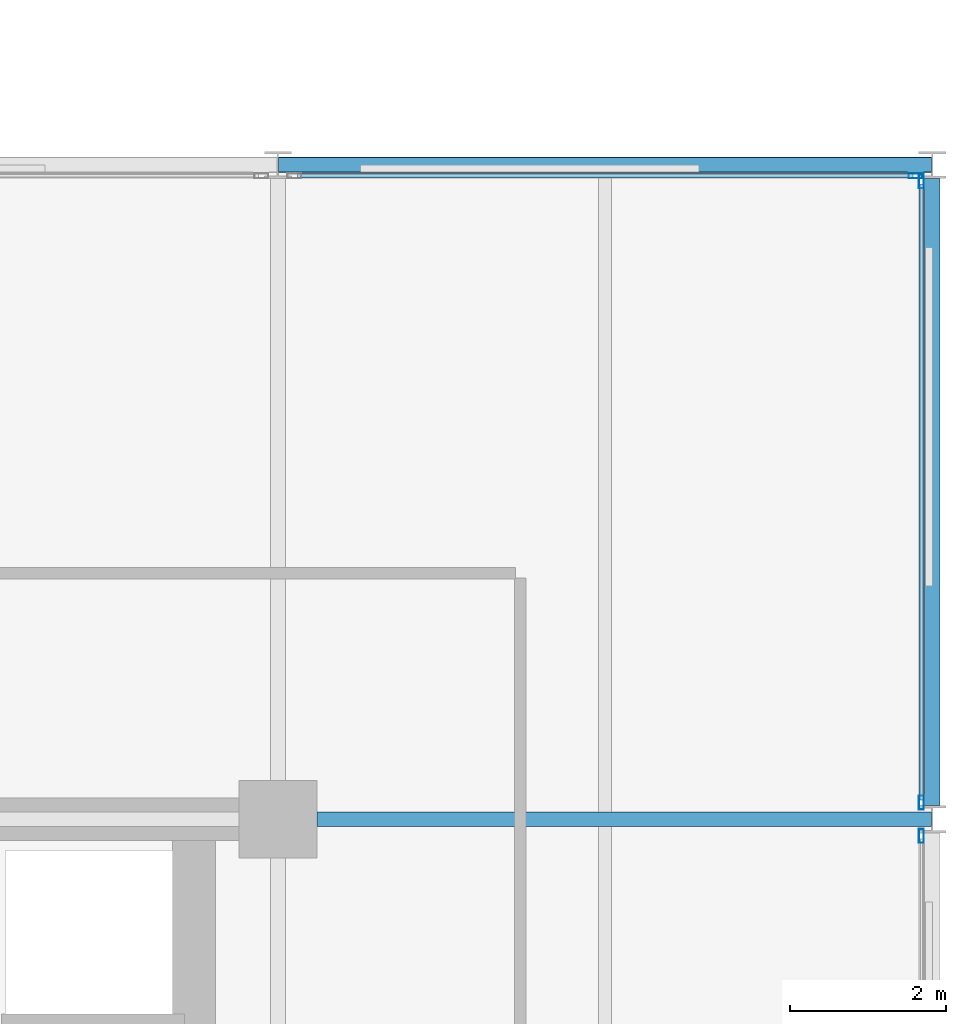
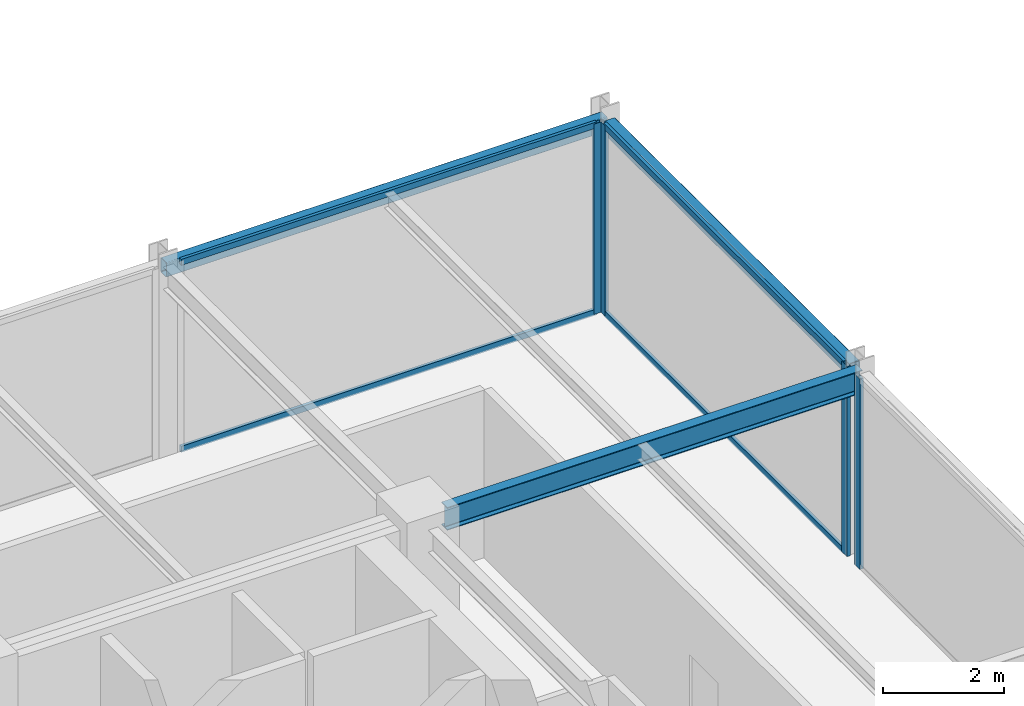
# One storey, part 16 of 29: 8 members, 3 beams, 3 elements without a shape of their own.
"""IFC4 building model written with IfcOpenShell, lengths in metres."""

from ifc_helpers import new_model, si_unit, direction, frame, origin, origin_2d, place, context, subcontext, project, spatial, hollow_rectangle, i_section, extrude, material, layer, layer_set, material_profile, profile_set, type_object, element, aggregate, save


model = new_model("IFC4")

# Units and contexts
model_context = context("Model", 3, precision=1e-05, world=origin(), true_north=direction((0.0, 1.0)))
body_context = subcontext(model_context, "Body", "Model", "MODEL_VIEW")
ifc_project = project(units=[si_unit("LENGTHUNIT", "METRE"), si_unit("AREAUNIT", "SQUARE_METRE"), si_unit("VOLUMEUNIT", "CUBIC_METRE"), si_unit("PLANEANGLEUNIT", "RADIAN"), si_unit("MASSUNIT", "GRAM", prefix="KILO")], contexts=[model_context])

# Site, building, storey
site_placement = place(None, origin())
site = spatial("IfcSite", under=ifc_project, at=site_placement, CompositionType="ELEMENT")
building_placement = place(site_placement, origin())
building = spatial("IfcBuilding", under=site, at=building_placement, Name="Nerrivon Quay Data Exchange", CompositionType="ELEMENT")
storey_placement = place(building_placement, frame((0.0, 0.0, 187.800048828125)))
storey = spatial("IfcBuildingStorey", under=building, at=storey_placement, Name="L44", CompositionType="ELEMENT", Elevation=187.800048828125)

# Beams
ifc_material_1 = material(Name="Steel Grade 350", Category="steel")
ifc_material_profile_1 = material_profile(ifc_material_1, i_section(OverallWidth=0.19091796875, OverallDepth=0.4599609375, WebThickness=0.010009765625, FlangeThickness=0.01611328125, FilletRadius=0.011474609375, at=origin_2d()), Name="460UB82.1")
ifc_profile_set_1 = profile_set([ifc_material_profile_1], Name="Steel Grade 350")
beam_type_1 = type_object("IfcBeamType", Name="BM-G5-460UB82", PredefinedType="BEAM", material=ifc_profile_set_1)
beam_1_placement = place(storey_placement, frame((34.10009765625, 16.800048828125, 3.594970703125), z_axis=(1.0, 0.0, 0.0), x_axis=(0.0, 1.0, 0.0)))
element("IfcBeam", 1, at=beam_1_placement, inside=storey, type_object=beam_type_1, Name="L44 EW Girder Y=16.8 (33.6..42.0)", PredefinedType="BEAM", context=body_context, shape_type="SweptSolid", body=[
    extrude(i_section(OverallWidth=0.19091796875, OverallDepth=0.4599609375, WebThickness=0.010009765625, FlangeThickness=0.01611328125, FilletRadius=0.011474609375, at=origin_2d()), origin(), (0.0, 0.0, 1.0), 7.889892578125),
])
ifc_material_2 = material(Name="Steel Grade C350L0 (350 MPa)", Category="steel")
ifc_material_profile_2 = material_profile(ifc_material_2, hollow_rectangle(XDim=0.199951171875, YDim=0.300048828125, WallThickness=0.012451171875, InnerFilletRadius=0.018798828125, OuterFilletRadius=0.03125, at=origin_2d()), Name="300x200x12.5RHS")
ifc_profile_set_2 = profile_set([ifc_material_profile_2], Name="Steel Grade C350L0 (350 MPa)")
beam_type_2 = type_object("IfcBeamType", Name="BM-SP3-300x200RHS", PredefinedType="SPANDREL", material=ifc_profile_set_2)
beam_2_placement = place(storey_placement, frame((33.610107421875, 25.199951171875, 3.675048828125), z_axis=(1.0, 0.0, 0.0), x_axis=(0.0, 1.0, 0.0)))
element("IfcBeam", 2, at=beam_2_placement, inside=storey, type_object=beam_type_2, Name="L44 EW Girder Y=25.2 (33.6..42.0)", PredefinedType="SPANDREL", context=body_context, shape_type="SweptSolid", body=[
    extrude(hollow_rectangle(XDim=0.199951171875, YDim=0.300048828125, WallThickness=0.012451171875, InnerFilletRadius=0.018798828125, OuterFilletRadius=0.03125, at=origin_2d()), origin(), (0.0, 0.0, 1.0), 8.3798828125),
])
beam_3_placement = place(storey_placement, frame((42.0, 16.97509765625, 3.675048828125), z_axis=(0.0, 1.0, 0.0), x_axis=(-1.0, 0.0, 0.0)))
element("IfcBeam", 3, at=beam_3_placement, inside=storey, type_object=beam_type_2, Name="L44 NS Girder X=42.0 (16.8..25.2)", PredefinedType="SPANDREL", context=body_context, shape_type="SweptSolid", body=[
    extrude(hollow_rectangle(XDim=0.199951171875, YDim=0.300048828125, WallThickness=0.012451171875, InnerFilletRadius=0.018798828125, OuterFilletRadius=0.03125, at=origin_2d()), origin(), (0.0, 0.0, 1.0), 8.0498046875),
])

# Curtain wall, member
ifc_material_3 = material(Name="Anodised aluminium 6063-T6", Category="aluminium")
ifc_layer = layer(ifc_material_3, 0.195068359375)
ifc_layer_set = layer_set([ifc_layer], Name="Anodised aluminium 6063-T6")
curtain_wall_type = type_object("IfcCurtainWallType", Name="CW-SYS-06", PredefinedType="NOTDEFINED", material=ifc_layer_set)
curtain_wall_1_placement = place(storey_placement, origin())
curtain_wall_1 = element("IfcCurtainWall", 4, at=curtain_wall_1_placement, inside=storey, type_object=curtain_wall_type, Name="L44 Unitised Curtain Wall 17", PredefinedType="NOTDEFINED")
ifc_material_profile_3 = material_profile(ifc_material_3, hollow_rectangle(XDim=0.06494140625, YDim=0.179931640625, WallThickness=0.00341796875, at=origin_2d()), Name="ALU-MULL-180x65")
ifc_profile_set_3 = profile_set([ifc_material_profile_3], Name="Anodised aluminium 6063-T6")
member_type_1 = type_object("IfcMemberType", Name="CWM-180x65", PredefinedType="MULLION", material=ifc_profile_set_3)
member_1_placement = place(storey_placement, frame((41.78759765625, 25.06005859375, 0.0), z_axis=(0.0, 0.0, 1.0), x_axis=(0.0, 1.0, 0.0)))
member_1 = element("IfcMember", 5, at=member_1_placement, type_object=member_type_1, Name="CW06 mullion 2", PredefinedType="MULLION", context=body_context, shape_type="SweptSolid", body=[
    extrude(hollow_rectangle(XDim=0.06494140625, YDim=0.179931640625, WallThickness=0.00341796875, at=origin_2d()), origin(), (0.0, 0.0, 1.0), 3.824951171875),
])

# Curtain wall, members
curtain_wall_2_placement = place(storey_placement, origin())
curtain_wall_2 = element("IfcCurtainWall", 6, at=curtain_wall_2_placement, inside=storey, type_object=curtain_wall_type, Name="L44 Unitised Curtain Wall 18", PredefinedType="NOTDEFINED")
member_2_placement = place(storey_placement, frame((41.860107421875, 24.987548828125, 0.0), z_axis=(0.0, 0.0, 1.0), x_axis=(1.0, 0.0, 0.0)))
member_2 = element("IfcMember", 7, at=member_2_placement, type_object=member_type_1, Name="CW06 mullion 1", PredefinedType="MULLION", context=body_context, shape_type="SweptSolid", body=[
    extrude(hollow_rectangle(XDim=0.06494140625, YDim=0.179931640625, WallThickness=0.00341796875, at=origin_2d()), origin(), (0.0, 0.0, 1.0), 3.824951171875),
])
member_3_placement = place(storey_placement, frame((41.860107421875, 17.012451171875, 0.0), z_axis=(0.0, 0.0, 1.0), x_axis=(1.0, 0.0, 0.0)))
member_3 = element("IfcMember", 8, at=member_3_placement, type_object=member_type_1, Name="CW06 mullion 2", PredefinedType="MULLION", context=body_context, shape_type="SweptSolid", body=[
    extrude(hollow_rectangle(XDim=0.06494140625, YDim=0.179931640625, WallThickness=0.00341796875, at=origin_2d()), origin(), (0.0, 0.0, 1.0), 3.824951171875),
])

# Curtain wall, member
curtain_wall_3_placement = place(storey_placement, origin())
curtain_wall_3 = element("IfcCurtainWall", 9, at=curtain_wall_3_placement, inside=storey, type_object=curtain_wall_type, Name="L44 Unitised Curtain Wall 19", PredefinedType="NOTDEFINED")
member_4_placement = place(storey_placement, frame((41.860107421875, 16.58740234375, 0.0), z_axis=(0.0, 0.0, 1.0), x_axis=(1.0, 0.0, 0.0)))
member_4 = element("IfcMember", 10, at=member_4_placement, type_object=member_type_1, Name="CW06 mullion 1", PredefinedType="MULLION", context=body_context, shape_type="SweptSolid", body=[
    extrude(hollow_rectangle(XDim=0.06494140625, YDim=0.179931640625, WallThickness=0.00341796875, at=origin_2d()), origin(), (0.0, 0.0, 1.0), 3.824951171875),
])
aggregate(curtain_wall_3, [member_4])

# Member
ifc_material_profile_4 = material_profile(ifc_material_3, hollow_rectangle(XDim=0.06005859375, YDim=0.1201171875, WallThickness=0.003173828125, at=origin_2d()), Name="ALU-TRAN-120x60")
ifc_profile_set_4 = profile_set([ifc_material_profile_4], Name="Anodised aluminium 6063-T6")
member_type_2 = type_object("IfcMemberType", Name="CWT-120x60", PredefinedType="USERDEFINED", material=ifc_profile_set_4)
member_5_placement = place(storey_placement, frame((33.85009765625, 25.06005859375, 0.032470703125), z_axis=(1.0, 0.0, 0.0), x_axis=(0.0, 1.0, 0.0)))
member_5 = element("IfcMember", 11, at=member_5_placement, type_object=member_type_2, Name="CW06 transom 1.1", ObjectType="TRANSOM", PredefinedType="USERDEFINED", context=body_context, shape_type="SweptSolid", body=[
    extrude(hollow_rectangle(XDim=0.06005859375, YDim=0.1201171875, WallThickness=0.003173828125, at=origin_2d()), origin(), (0.0, 0.0, 1.0), 7.89990234375),
])

member_6_placement = place(storey_placement, frame((33.85009765625, 25.06005859375, 3.79248046875), z_axis=(1.0, 0.0, 0.0), x_axis=(0.0, 1.0, 0.0)))
member_6 = element("IfcMember", 12, at=member_6_placement, type_object=member_type_2, Name="CW06 transom 1.2", ObjectType="TRANSOM", PredefinedType="USERDEFINED", context=body_context, shape_type="SweptSolid", body=[
    extrude(hollow_rectangle(XDim=0.06005859375, YDim=0.1201171875, WallThickness=0.003173828125, at=origin_2d()), origin(), (0.0, 0.0, 1.0), 7.89990234375),
])

aggregate(curtain_wall_1, [member_1, member_5, member_6])

member_7_placement = place(storey_placement, frame((41.860107421875, 24.949951171875, 0.032470703125), z_axis=(0.0, -1.0, 0.0), x_axis=(1.0, 0.0, 0.0)))
member_7 = element("IfcMember", 13, at=member_7_placement, type_object=member_type_2, Name="CW06 transom 1.1", ObjectType="TRANSOM", PredefinedType="USERDEFINED", context=body_context, shape_type="SweptSolid", body=[
    extrude(hollow_rectangle(XDim=0.06005859375, YDim=0.1201171875, WallThickness=0.003173828125, at=origin_2d()), origin(), (0.0, 0.0, 1.0), 7.89990234375),
])

member_8_placement = place(storey_placement, frame((41.860107421875, 24.949951171875, 3.79248046875), z_axis=(0.0, -1.0, 0.0), x_axis=(1.0, 0.0, 0.0)))
member_8 = element("IfcMember", 14, at=member_8_placement, type_object=member_type_2, Name="CW06 transom 1.2", ObjectType="TRANSOM", PredefinedType="USERDEFINED", context=body_context, shape_type="SweptSolid", body=[
    extrude(hollow_rectangle(XDim=0.06005859375, YDim=0.1201171875, WallThickness=0.003173828125, at=origin_2d()), origin(), (0.0, 0.0, 1.0), 7.89990234375),
])

aggregate(curtain_wall_2, [member_2, member_3, member_7, member_8])

save(model, "model.ifc")
